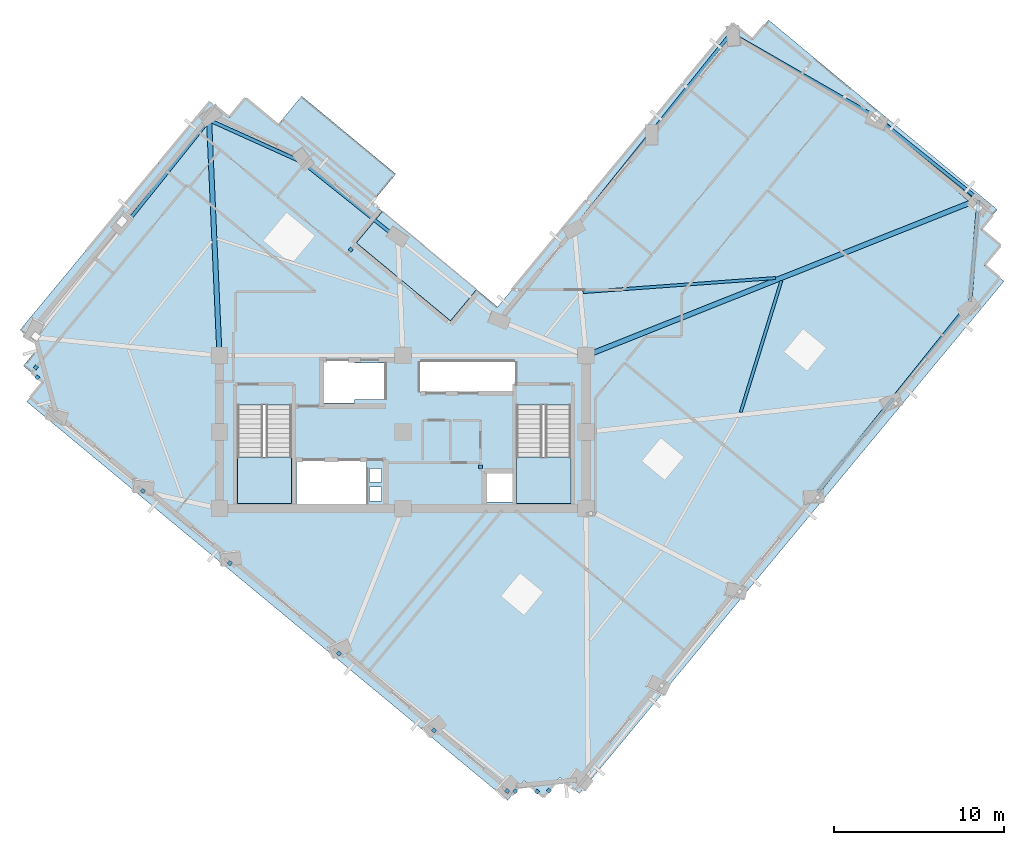
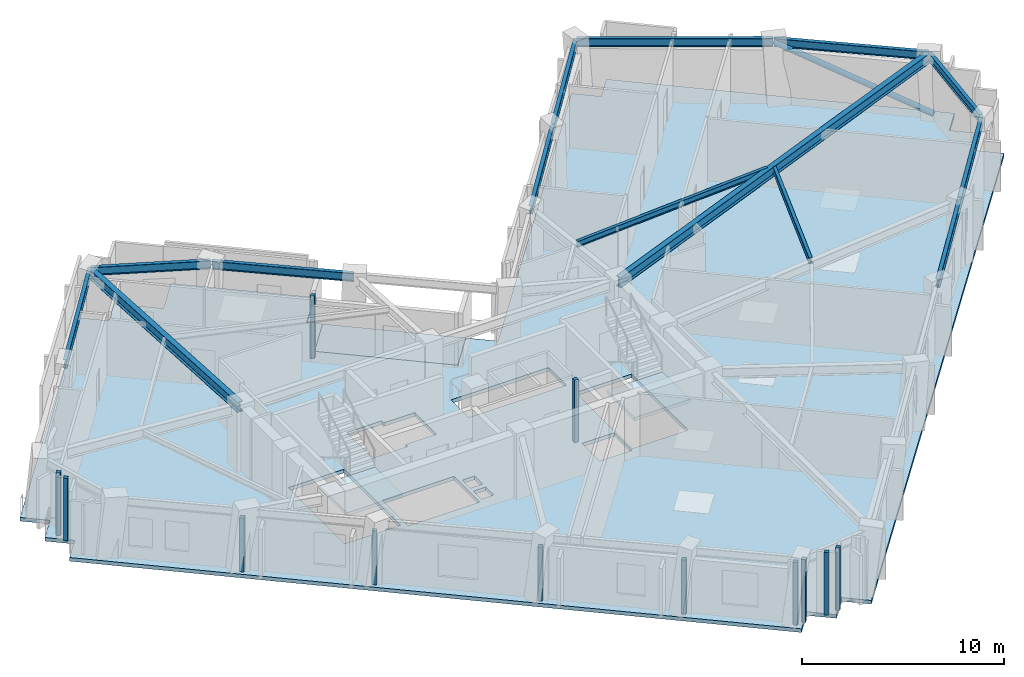
# One storey, part 2 of 10: 14 beams, 12 plates, 4 slabs, 1 member, 2 elements without a shape of their own.
"""IFC4 building model written with IfcOpenShell, lengths in metres."""

from ifc_helpers import new_model, si_unit, direction, frame, origin, origin_2d, place, context, subcontext, project, spatial, polyline, rectangle, hollow_circle, i_section, outline, extrude, material, layer, layer_set, material_profile, profile_set, type_object, element, aggregate, save


model = new_model("IFC4")

# Units and contexts
model_context = context("Model", 3, precision=1e-05, world=origin(), true_north=direction((0.0, 1.0)))
body_context = subcontext(model_context, "Body", "Model", "MODEL_VIEW")
ifc_project = project(units=[si_unit("LENGTHUNIT", "METRE"), si_unit("AREAUNIT", "SQUARE_METRE"), si_unit("VOLUMEUNIT", "CUBIC_METRE"), si_unit("PLANEANGLEUNIT", "RADIAN"), si_unit("MASSUNIT", "GRAM", prefix="KILO")], contexts=[model_context])

# Site, building, storey
site_placement = place(None, origin())
site = spatial("IfcSite", under=ifc_project, at=site_placement, CompositionType="ELEMENT")
building_placement = place(site_placement, origin())
building = spatial("IfcBuilding", under=site, at=building_placement, Name="Gaonmaruhae Medical Tower", CompositionType="ELEMENT")
storey_placement = place(building_placement, frame((0.0, 0.0, 239.199951171875)))
storey = spatial("IfcBuildingStorey", under=building, at=storey_placement, Name="L57", CompositionType="ELEMENT", Elevation=239.199951171875)

# Beams
ifc_material_1 = material(Name="Steel SM355", Category="steel")
ifc_material_profile_1 = material_profile(ifc_material_1, i_section(OverallWidth=0.175048828125, OverallDepth=0.35009765625, WebThickness=0.007080078125, FlangeThickness=0.010986328125, FilletRadius=0.012939453125, at=origin_2d()), Name="H-350x175x7x11")
ifc_profile_set_1 = profile_set([ifc_material_profile_1], Name="Steel SM355")
beam_type_1 = type_object("IfcBeamType", Name="FJ-02 Upper Zone Ward Floor Joist (H-350x175x7x11)", PredefinedType="JOIST", material=ifc_profile_set_1)
beam_1_placement = place(storey_placement, frame((44.7080078125, 13.47314453125, 3.60498046875), z_axis=(0.295453279914, 0.955357189426, 0.0), x_axis=(-0.955357189426, 0.295453279914, 0.0)))
element("IfcBeam", 1, at=beam_1_placement, inside=storey, type_object=beam_type_1, Name="L57 Secondary Floor Joist FJ03", PredefinedType="JOIST", context=body_context, shape_type="SweptSolid", body=[
    extrude(i_section(OverallWidth=0.175048828125, OverallDepth=0.35009765625, WebThickness=0.007080078125, FlangeThickness=0.010986328125, FilletRadius=0.012939453125, at=origin_2d()), origin(), (0.0, 0.0, 1.0), 8.10302734375),
])
beam_2_placement = place(storey_placement, frame((46.760986328125, 21.375, 3.60498046875), z_axis=(-0.99734110415, -0.072874700497, 0.0), x_axis=(0.072874700497, -0.99734110415, 0.0)))
element("IfcBeam", 2, at=beam_2_placement, inside=storey, type_object=beam_type_1, Name="L57 Secondary Floor Joist FJ04", PredefinedType="JOIST", context=body_context, shape_type="SweptSolid", body=[
    extrude(i_section(OverallWidth=0.175048828125, OverallDepth=0.35009765625, WebThickness=0.007080078125, FlangeThickness=0.010986328125, FilletRadius=0.012939453125, at=origin_2d()), origin(), (0.0, 0.0, 1.0), 11.3837890625),
])

# Member
ifc_material_profile_2 = material_profile(ifc_material_1, hollow_circle(Radius=0.1591796875, WallThickness=0.01025390625, at=origin_2d()), Name="CHS-318.5x10.3")
ifc_profile_set_2 = profile_set([ifc_material_profile_2], Name="Steel SM355")
member_type = type_object("IfcMemberType", Name="PB-03 Perimeter Solid-Bay Tube Brace Upper (CHS-318.5x10.3)", PredefinedType="BRACE", material=ifc_profile_set_2)
member_placement = place(storey_placement, frame((58.738037109375, 25.591552734375, 0.25), z_axis=(-0.69998973269, 0.607066529634, 0.376144390796), x_axis=(-0.655182433264, -0.755470700386, 0.0)))
element("IfcMember", 3, at=member_placement, inside=storey, type_object=member_type, Name="L57 Perimeter Tube Solid-Bay Brace E01-E02", PredefinedType="BRACE", context=body_context, shape_type="SweptSolid", body=[
    extrude(hollow_circle(Radius=0.1591796875, WallThickness=0.01025390625, at=origin_2d()), origin(), (0.0, 0.0, 1.0), 8.72021484375),
])

# Beams
ifc_material_2 = material(Name="Steel SM420", Category="steel")
ifc_material_profile_3 = material_profile(ifc_material_2, i_section(OverallWidth=0.300048828125, OverallDepth=0.60009765625, WebThickness=0.011962890625, FlangeThickness=0.02001953125, FilletRadius=0.012939453125, at=origin_2d()), Name="H-600x300x12x20")
ifc_profile_set_3 = profile_set([ifc_material_profile_3], Name="Steel SM420")
beam_type_2 = type_object("IfcBeamType", Name="PG-04 Zone 4 Radial Floor Girder (H-600x300x12x20)", PredefinedType="BEAM", material=ifc_profile_set_3)
beam_3_placement = place(storey_placement, frame((35.646484375, 16.818603515625, 3.47998046875), z_axis=(0.929036025607, 0.369989274338, 0.0), x_axis=(-0.369989274338, 0.929036025607, 0.0)))
element("IfcBeam", 4, at=beam_3_placement, inside=storey, type_object=beam_type_2, Name="L57 Radial Primary Girder E01", PredefinedType="BEAM", context=body_context, shape_type="SweptSolid", body=[
    extrude(i_section(OverallWidth=0.300048828125, OverallDepth=0.60009765625, WebThickness=0.011962890625, FlangeThickness=0.02001953125, FilletRadius=0.012939453125, at=origin_2d()), origin(), (0.0, 0.0, 1.0), 24.78759765625),
])
beam_4_placement = place(storey_placement, frame((13.997802734375, 16.849853515625, 3.47998046875), z_axis=(-0.044094000849, 0.999027386556, 0.0), x_axis=(-0.999027386556, -0.044094000849, 0.0)))
element("IfcBeam", 5, at=beam_4_placement, inside=storey, type_object=beam_type_2, Name="L57 Radial Primary Girder N01", PredefinedType="BEAM", context=body_context, shape_type="SweptSolid", body=[
    extrude(i_section(OverallWidth=0.300048828125, OverallDepth=0.60009765625, WebThickness=0.011962890625, FlangeThickness=0.02001953125, FilletRadius=0.012939453125, at=origin_2d()), origin(), (0.0, 0.0, 1.0), 13.792236328125),
])
ifc_material_profile_4 = material_profile(ifc_material_1, i_section(OverallWidth=0.199951171875, OverallDepth=0.5, WebThickness=0.010009765625, FlangeThickness=0.01611328125, FilletRadius=0.012939453125, at=origin_2d()), Name="H-500x200x10x16")
ifc_profile_set_4 = profile_set([ifc_material_profile_4], Name="Steel SM355")
beam_type_3 = type_object("IfcBeamType", Name="SP-02 Upper Perimeter Spandrel Beam (H-500x200x10x16)", PredefinedType="SPANDREL", material=ifc_profile_set_4)
for number, where, z_axis, x_axis, name in (
    (6, (49.239013671875, 8.734375, 3.530029296875), (0.625238513477, 0.780433726376, 0.0), (-0.780433726376, 0.625238513477, 0.0), "L57 Perimeter Spandrel Beam S04-S05"),
    (7, (53.74072265625, 14.353515625, 3.530029296875), (0.625238513477, 0.780433726376, 0.0), (-0.780433726376, 0.625238513477, 0.0), "L57 Perimeter Spandrel Beam S05-S06"),
):
    element("IfcBeam", number, at=place(storey_placement, frame(where, z_axis=z_axis, x_axis=x_axis)), inside=storey, type_object=beam_type_3, Name=name, PredefinedType="SPANDREL", context=body_context, shape_type="SweptSolid", body=[
        extrude(i_section(OverallWidth=0.199951171875, OverallDepth=0.5, WebThickness=0.010009765625, FlangeThickness=0.01611328125, FilletRadius=0.012939453125, at=origin_2d()), origin(), (0.0, 0.0, 1.0), 7.119873046875),
    ])
beam_5_placement = place(storey_placement, frame((58.220703125, 19.981201171875, 3.530029296875), z_axis=(0.082776435546, 0.996568142035, 0.0), x_axis=(-0.996568142035, 0.082776435546, 0.0)))
element("IfcBeam", 8, at=beam_5_placement, inside=storey, type_object=beam_type_3, Name="L57 Perimeter Spandrel Beam S06-E01", PredefinedType="SPANDREL", context=body_context, shape_type="SweptSolid", body=[
    extrude(i_section(OverallWidth=0.199951171875, OverallDepth=0.5, WebThickness=0.010009765625, FlangeThickness=0.01611328125, FilletRadius=0.012939453125, at=origin_2d()), origin(), (0.0, 0.0, 1.0), 6.0078125),
])
beam_6_placement = place(storey_placement, frame((58.690185546875, 26.033447265625, 3.530029296875), z_axis=(-0.780442846979, 0.62522712881, 0.0), x_axis=(-0.62522712881, -0.780442846979, 0.0)))
element("IfcBeam", 9, at=beam_6_placement, inside=storey, type_object=beam_type_3, Name="L57 Perimeter Spandrel Beam E01-E02", PredefinedType="SPANDREL", context=body_context, shape_type="SweptSolid", body=[
    extrude(i_section(OverallWidth=0.199951171875, OverallDepth=0.5, WebThickness=0.010009765625, FlangeThickness=0.01611328125, FilletRadius=0.012939453125, at=origin_2d()), origin(), (0.0, 0.0, 1.0), 7.719970703125),
])
beam_7_placement = place(storey_placement, frame((52.599365234375, 30.9052734375, 3.530029296875), z_axis=(-0.866818240009, 0.49862424609, 0.0), x_axis=(-0.49862424609, -0.866818240009, 0.0)))
element("IfcBeam", 10, at=beam_7_placement, inside=storey, type_object=beam_type_3, Name="L57 Perimeter Spandrel Beam E02-E03", PredefinedType="SPANDREL", context=body_context, shape_type="SweptSolid", body=[
    extrude(i_section(OverallWidth=0.199951171875, OverallDepth=0.5, WebThickness=0.010009765625, FlangeThickness=0.01611328125, FilletRadius=0.012939453125, at=origin_2d()), origin(), (0.0, 0.0, 1.0), 9.7353515625),
])
beam_8_placement = place(storey_placement, frame((44.10107421875, 35.748291015625, 3.530029296875), z_axis=(-0.625248898556, -0.780425406336, 0.0), x_axis=(0.780425406336, -0.625248898556, 0.0)))
element("IfcBeam", 11, at=beam_8_placement, inside=storey, type_object=beam_type_3, Name="L57 Perimeter Spandrel Beam E03-EN01", PredefinedType="SPANDREL", context=body_context, shape_type="SweptSolid", body=[
    extrude(i_section(OverallWidth=0.199951171875, OverallDepth=0.5, WebThickness=0.010009765625, FlangeThickness=0.01611328125, FilletRadius=0.012939453125, at=origin_2d()), origin(), (0.0, 0.0, 1.0), 7.469970703125),
])
for number, where, z_axis, x_axis, name in (
    (12, (39.38037109375, 29.85595703125, 3.530029296875), (-0.625238513477, -0.780433726376, 0.0), (0.780433726376, -0.625238513477, 0.0), "L57 Perimeter Spandrel Beam EN01-EN02"),
    (13, (24.478759765625, 23.71484375, 3.510009765625), (-0.780433726376, 0.625238513477, 0.0), (-0.625238513477, -0.780433726376, 0.0), "L57 Perimeter Spandrel Beam NE01-NE02"),
):
    element("IfcBeam", number, at=place(storey_placement, frame(where, z_axis=z_axis, x_axis=x_axis)), inside=storey, type_object=beam_type_3, Name=name, PredefinedType="SPANDREL", context=body_context, shape_type="SweptSolid", body=[
        extrude(i_section(OverallWidth=0.199951171875, OverallDepth=0.5, WebThickness=0.010009765625, FlangeThickness=0.01611328125, FilletRadius=0.012939453125, at=origin_2d()), origin(), (0.0, 0.0, 1.0), 7.119873046875),
    ])
beam_9_placement = place(storey_placement, frame((18.854248046875, 28.2080078125, 3.530029296875), z_axis=(-0.911266466846, 0.411817224508, 0.0), x_axis=(-0.411817224508, -0.911266466846, 0.0)))
element("IfcBeam", 14, at=beam_9_placement, inside=storey, type_object=beam_type_3, Name="L57 Perimeter Spandrel Beam NE02-N01", PredefinedType="SPANDREL", context=body_context, shape_type="SweptSolid", body=[
    extrude(i_section(OverallWidth=0.199951171875, OverallDepth=0.5, WebThickness=0.010009765625, FlangeThickness=0.01611328125, FilletRadius=0.012939453125, at=origin_2d()), origin(), (0.0, 0.0, 1.0), 5.959228515625),
])
beam_10_placement = place(storey_placement, frame((13.3623046875, 30.647216796875, 3.530029296875), z_axis=(-0.625248568021, -0.780425671149, 0.0), x_axis=(0.780425671149, -0.625248568021, 0.0)))
element("IfcBeam", 15, at=beam_10_placement, inside=storey, type_object=beam_type_3, Name="L57 Perimeter Spandrel Beam N01-N02", PredefinedType="SPANDREL", context=body_context, shape_type="SweptSolid", body=[
    extrude(i_section(OverallWidth=0.199951171875, OverallDepth=0.5, WebThickness=0.010009765625, FlangeThickness=0.01611328125, FilletRadius=0.012939453125, at=origin_2d()), origin(), (0.0, 0.0, 1.0), 8.119873046875),
])

# Slab
ifc_material_3 = material(Name="Concrete C40/50", Category="concrete")
ifc_layer_1 = layer(ifc_material_3, 0.219970703125)
ifc_layer_set_1 = layer_set([ifc_layer_1], Name="Concrete C40/50")
slab_type_1 = type_object("IfcSlabType", Name="FS-220 Clinical Ward Composite Floor Slab", PredefinedType="FLOOR", material=ifc_layer_set_1)
slab_1_placement = place(storey_placement, frame((0.0, 0.0, -0.219970703125)))
element("IfcSlab", 16, at=slab_1_placement, inside=storey, type_object=slab_type_1, Name="L57 Structural Slab 1", PredefinedType="FLOOR", context=body_context, shape_type="SweptSolid", body=[
    extrude(outline(polyline([(44.234130859375, 36.377685546875), (45.388916015625, 35.420654296875), (46.34619140625, 36.57568359375), (59.8203125, 25.408935546875), (58.86328125, 24.25390625), (60.018310546875, 23.296875), (59.06103515625, 22.141845703125), (60.216064453125, 21.184814453125), (35.20263671875, -8.99755859375), (34.047607421875, -8.040283203125), (33.090576171875, -9.1953125), (31.935546875, -8.23828125), (30.978515625, -9.39306640625), (2.64404296875, 14.0888671875), (3.601318359375, 15.243896484375), (2.4462890625, 16.200927734375), (3.4033203125, 17.35595703125), (2.24853515625, 18.31298828125), (13.4150390625, 31.787109375), (14.570068359375, 30.830078125), (15.527099609375, 31.985107421875), (17.43896484375, 30.400634765625), (18.8427734375, 32.094482421875), (24.386474609375, 27.500244140625), (22.982666015625, 25.806396484375), (23.5986328125, 25.2958984375), (22.067138671875, 23.447998046875), (27.61083984375, 18.853759765625), (29.142333984375, 20.70166015625), (30.387451171875, 19.669921875), (44.234130859375, 36.377685546875)]), holes=[polyline([(23.550048828125, 8.25), (22.85009765625, 8.25), (22.85009765625, 9.050048828125), (23.550048828125, 9.050048828125), (23.550048828125, 8.25)]), polyline([(31.425048828125, 9.925048828125), (31.425048828125, 8.175048828125), (29.574951171875, 8.175048828125), (29.574951171875, 9.925048828125), (31.425048828125, 9.925048828125)]), polyline([(22.64990234375, 10.625), (22.64990234375, 8.074951171875), (18.550048828125, 8.074951171875), (18.550048828125, 10.625), (22.64990234375, 10.625)]), polyline([(23.550048828125, 9.35009765625), (22.85009765625, 9.35009765625), (22.85009765625, 10.14990234375), (23.550048828125, 10.14990234375), (23.550048828125, 9.35009765625)]), polyline([(15.050048828125, 13.889892578125), (18.25, 13.889892578125), (18.25, 8.300048828125), (15.050048828125, 8.300048828125), (15.050048828125, 13.889892578125)]), polyline([(31.5, 13.889892578125), (34.699951171875, 13.889892578125), (34.699951171875, 8.300048828125), (31.5, 8.300048828125), (31.5, 13.889892578125)]), polyline([(21.949951171875, 14.22509765625), (21.949951171875, 14.02490234375), (19.949951171875, 14.02490234375), (19.949951171875, 16.574951171875), (21.949951171875, 16.574951171875), (21.949951171875, 16.375), (23.72509765625, 16.375), (23.72509765625, 14.22509765625), (21.949951171875, 14.22509765625)]), polyline([(31.425048828125, 16.425048828125), (31.425048828125, 14.675048828125), (25.824951171875, 14.675048828125), (25.824951171875, 16.425048828125), (31.425048828125, 16.425048828125)])]), origin(), (0.0, 0.0, 1.0), 0.219970703125),
])

# Plates
ifc_material_4 = material(Name="Anodised aluminium 6063-T6", Category="aluminium")
ifc_layer_2 = layer(ifc_material_4, 0.011962890625)
ifc_layer_set_2 = layer_set([ifc_layer_2], Name="Anodised aluminium 6063-T6")
plate_type = type_object("IfcPlateType", Name="PP-01 Interior Partition Corner Stiffener Plate", PredefinedType="SHEET", material=ifc_layer_set_2)
for number, where, z_axis, x_axis, name in (
    (17, (29.3798828125, 10.260009765625, 0.0), (0.0, 0.0, 1.0), (0.0, -1.0, 0.0), "L57 Partition Corner Stiffener Plate PLT-L57-JGP-PW002"),
    (18, (32.7109375, -8.8798828125, 0.0), (0.0, 0.0, 1.0), (-0.769878728192, 0.638190209794, 0.0), "L57 Partition Corner Stiffener Plate PLT-L57-JGP-PW008"),
    (19, (31.42138671875, -8.85888671875, 0.0), (0.0, 0.0, 1.0), (-0.638512639844, -0.769611336169, 0.0), "L57 Partition Corner Stiffener Plate PLT-L57-JGP-PW009"),
    (20, (30.949951171875, -8.849609375, 0.0), (0.0, 0.0, 1.0), (-0.769778472011, 0.638311134188, 0.0), "L57 Partition Corner Stiffener Plate PLT-L57-JGP-PW010"),
):
    element("IfcPlate", number, at=place(storey_placement, frame(where, z_axis=z_axis, x_axis=x_axis)), inside=storey, type_object=plate_type, Name=name, PredefinedType="SHEET", context=body_context, shape_type="SweptSolid", body=[
        extrude(rectangle(XDim=0.219970703125, YDim=0.219970703125, at=origin_2d()), origin(), (0.0, 0.0, 1.0), 3.780029296875),
    ])
plate_1_placement = place(storey_placement, frame((26.635009765625, -5.27294921875, 0.0), z_axis=(0.0, 0.0, 1.0), x_axis=(-0.769722765925, 0.638378307602, 0.0)))
element("IfcPlate", 21, at=plate_1_placement, inside=storey, type_object=plate_type, Name="L57 Partition Corner Stiffener Plate PLT-L57-JGP-PW011", PredefinedType="SHEET", context=body_context, shape_type="SweptSolid", body=[
    extrude(rectangle(XDim=0.219970703125, YDim=0.219970703125, at=origin_2d()), origin(), (0.0, 0.0, 1.0), 3.264892578125),
])
plate_2_placement = place(storey_placement, frame((33.406005859375, -8.81494140625, 0.0), z_axis=(0.0, 0.0, 1.0), x_axis=(-0.638190209794, -0.769878728192, 0.0)))
element("IfcPlate", 22, at=plate_2_placement, inside=storey, type_object=plate_type, Name="L57 Partition Corner Stiffener Plate PLT-L57-JGP-PW017", PredefinedType="SHEET", context=body_context, shape_type="SweptSolid", body=[
    extrude(rectangle(XDim=0.219970703125, YDim=0.219970703125, at=origin_2d()), origin(), (0.0, 0.0, 1.0), 3.780029296875),
])
for number, where, z_axis, x_axis, name in (
    (23, (21.0400390625, -0.741455078125, 0.0), (0.0, 0.0, 1.0), (-0.769466442437, 0.63868724268, 0.0), "L57 Partition Corner Stiffener Plate PLT-L57-JGP-PW041"),
    (24, (14.611083984375, 4.58642578125, 0.0), (0.0, 0.0, 1.0), (-0.770079183564, 0.637948313769, 0.0), "L57 Partition Corner Stiffener Plate PLT-L57-JGP-PW042"),
    (25, (9.491455078125, 8.82958984375, 0.0), (0.0, 0.0, 1.0), (-0.770413106944, 0.637545013821, 0.0), "L57 Partition Corner Stiffener Plate PLT-L57-JGP-PW047"),
):
    element("IfcPlate", number, at=place(storey_placement, frame(where, z_axis=z_axis, x_axis=x_axis)), inside=storey, type_object=plate_type, Name=name, PredefinedType="SHEET", context=body_context, shape_type="SweptSolid", body=[
        extrude(rectangle(XDim=0.219970703125, YDim=0.219970703125, at=origin_2d()), origin(), (0.0, 0.0, 1.0), 3.264892578125),
    ])
for number, where, z_axis, x_axis, name in (
    (26, (3.263916015625, 15.52294921875, 0.0), (0.0, 0.0, 1.0), (-0.770279562933, 0.637706354781, 0.0), "L57 Partition Corner Stiffener Plate PLT-L57-JGP-PW050"),
    (27, (3.181396484375, 16.10888671875, 0.0), (0.0, 0.0, 1.0), (0.638203646616, 0.769867589554, 0.0), "L57 Partition Corner Stiffener Plate PLT-L57-JGP-PW051"),
    (28, (21.735595703125, 23.047607421875, 0.0), (0.0, 0.0, 1.0), (-0.638243955914, -0.769834172234, 0.0), "L57 Partition Corner Stiffener Plate PLT-L57-JGP-PW074"),
):
    element("IfcPlate", number, at=place(storey_placement, frame(where, z_axis=z_axis, x_axis=x_axis)), inside=storey, type_object=plate_type, Name=name, PredefinedType="SHEET", context=body_context, shape_type="SweptSolid", body=[
        extrude(rectangle(XDim=0.219970703125, YDim=0.219970703125, at=origin_2d()), origin(), (0.0, 0.0, 1.0), 3.780029296875),
    ])

# Stair, slab
stair_type = type_object("IfcStairType", Name="ST-T1 Primary Core Escape Dogleg Stair", PredefinedType="TWO_QUARTER_TURN_STAIR", material=ifc_material_3)
stair_1_placement = place(storey_placement, origin())
stair_1 = element("IfcStair", 29, at=stair_1_placement, inside=storey, type_object=stair_type, Name="L57 Protected Escape Stair ST-01", PredefinedType="TWO_QUARTER_TURN_STAIR")
ifc_layer_3 = layer(ifc_material_3, 0.199951171875)
ifc_layer_set_3 = layer_set([ifc_layer_3], Name="Concrete C40/50")
slab_type_2 = type_object("IfcSlabType", Name="SL-200 Stair & Ramp Intermediate Concrete Landing", PredefinedType="LANDING", material=ifc_layer_set_3)
slab_2_placement = place(storey_placement, frame((0.0, 0.0, 1.800048828125)))
slab_2 = element("IfcSlab", 30, at=slab_2_placement, type_object=slab_type_2, Name="ST-01 landing 1", PredefinedType="LANDING", context=body_context, shape_type="SweptSolid", body=[
    extrude(outline(polyline([(15.050048828125, 10.820068359375), (15.050048828125, 8.0791015625), (18.25, 8.0791015625), (18.25, 10.820068359375), (15.050048828125, 10.820068359375)])), origin(), (0.0, 0.0, 1.0), 0.199951171875),
])
aggregate(stair_1, [slab_2])

stair_2_placement = place(storey_placement, origin())
stair_2 = element("IfcStair", 31, at=stair_2_placement, inside=storey, type_object=stair_type, Name="L57 Protected Escape Stair ST-02", PredefinedType="TWO_QUARTER_TURN_STAIR")
slab_3_placement = place(storey_placement, frame((0.0, 0.0, 1.800048828125)))
slab_3 = element("IfcSlab", 32, at=slab_3_placement, type_object=slab_type_2, Name="ST-02 landing 1", PredefinedType="LANDING", context=body_context, shape_type="SweptSolid", body=[
    extrude(outline(polyline([(31.5, 10.820068359375), (31.5, 8.0791015625), (34.699951171875, 8.0791015625), (34.699951171875, 10.820068359375), (31.5, 10.820068359375)])), origin(), (0.0, 0.0, 1.0), 0.199951171875),
])
aggregate(stair_2, [slab_3])

# Slab
ifc_layer_4 = layer(ifc_material_3, 0.239990234375)
ifc_layer_set_4 = layer_set([ifc_layer_4], Name="Concrete C40/50")
slab_type_3 = type_object("IfcSlabType", Name="TS-240 Sky Garden & Recovery Terrace Slab", PredefinedType="FLOOR", material=ifc_layer_set_4)
slab_4_placement = place(storey_placement, frame((0.0, 0.0, -0.239990234375)))
element("IfcSlab", 33, at=slab_4_placement, inside=storey, type_object=slab_type_3, Name="L57 Outdoor Recovery Terrace Slab", PredefinedType="FLOOR", context=body_context, shape_type="SweptSolid", body=[
    extrude(outline(polyline([(27.61083984375, 18.853759765625), (29.142333984375, 20.70166015625), (23.5986328125, 25.2958984375), (22.067138671875, 23.447998046875), (27.61083984375, 18.853759765625)])), origin(), (0.0, 0.0, 1.0), 0.239990234375),
])

save(model, "model.ifc")
